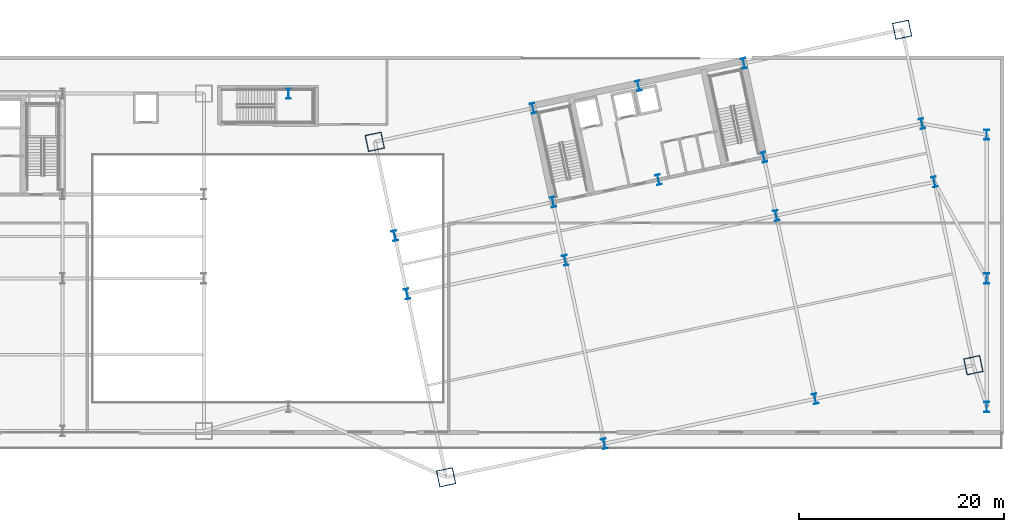
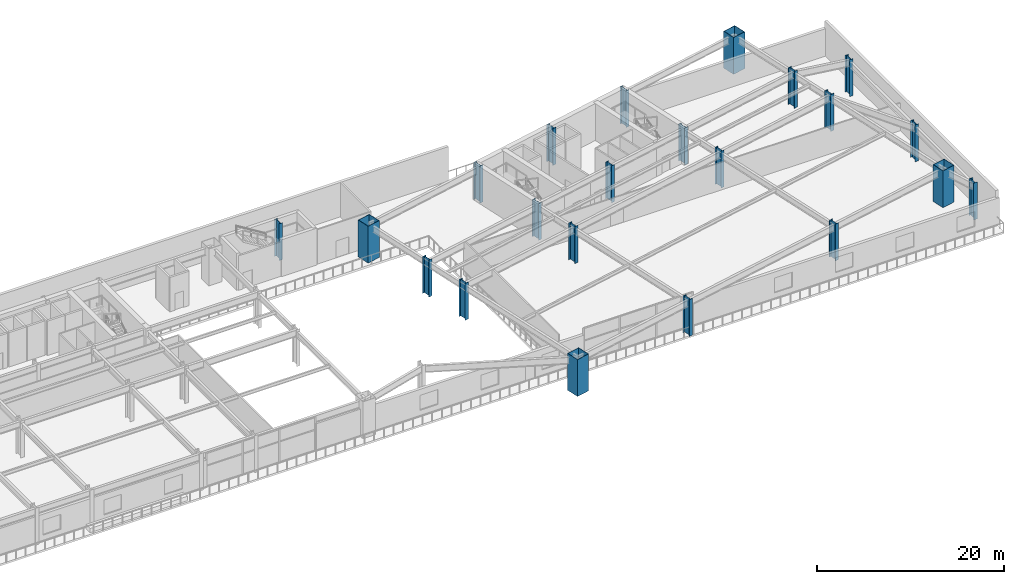
# One storey, part 2 of 28: 22 columns.
"""IFC4 building model written with IfcOpenShell, lengths in metres."""

import ifcopenshell
import ifcopenshell.guid

model = None  # the IFC model being written
_history = None  # IfcOwnerHistory: only IFC2X3 demands one
_inside = {}  # id of a spatial element -> (the spatial element, [elements in it])
_under = {}  # id of a project, library or spatial element -> (it, [spatial elements below it])
_declared = {}  # id of a project -> (the project, [libraries it declares])
_typed = {}  # id of a type object -> (the type object, [elements of that type])
_made_of = {}  # id of a material, layer set ... -> (it, [elements and type objects made of it])


def new_model(schema):
    """Start an empty IFC model of exactly this schema.

    Asked for "IFC4X3", IfcOpenShell would pick the latest addendum, in which some entities
    have other attributes; the version numbers below select the first issue.
    IFC2X3 requires an IfcOwnerHistory on every rooted entity: one is made here for all.
    """
    global model, _history
    if schema == "IFC4X3":
        model = ifcopenshell.file(schema_version=(4, 3, 0, 0))
    else:
        model = ifcopenshell.file(schema=schema)
    _inside.clear()
    _under.clear()
    _declared.clear()
    _typed.clear()
    _made_of.clear()
    _history = None
    if model.schema == "IFC2X3":
        org = make("IfcOrganization", Name="unknown")
        user = make(
            "IfcPersonAndOrganization",
            ThePerson=make("IfcPerson", FamilyName="unknown"),
            TheOrganization=org,
        )
        app = make(
            "IfcApplication",
            ApplicationDeveloper=org,
            Version="unknown",
            ApplicationFullName="unknown",
            ApplicationIdentifier="unknown",
        )
        _history = make(
            "IfcOwnerHistory",
            OwningUser=user,
            OwningApplication=app,
            ChangeAction="ADDED",
            CreationDate=0,
        )
    return model


def make(cls, **values):
    """One entity of the class cls with the attributes given. An attribute that is None is left unset."""
    return model.create_entity(
        cls, **{name: value for name, value in values.items() if value is not None}
    )


def rooted(cls, **values):
    """An entity with a GlobalId (a new one), such as an element, a storey or a relation."""
    return make(cls, GlobalId=ifcopenshell.guid.new(), OwnerHistory=_history, **values)


def si_unit(unit_type, name, prefix=None):
    """IfcSIUnit, for example si_unit("LENGTHUNIT", "METRE", prefix="MILLI")."""
    return make("IfcSIUnit", UnitType=unit_type, Prefix=prefix, Name=name)


def assignment(units):
    """IfcUnitAssignment: the units of a project."""
    return None if units is None else make("IfcUnitAssignment", Units=units)


def point(xyz):
    """IfcCartesianPoint."""
    return None if xyz is None else make("IfcCartesianPoint", Coordinates=xyz)


def direction(xyz):
    """IfcDirection."""
    return None if xyz is None else make("IfcDirection", DirectionRatios=xyz)


def frame(location, z_axis=None, x_axis=None):
    """IfcAxis2Placement3D, a coordinate frame: its origin and axes. An axis left out is left unset."""
    return make(
        "IfcAxis2Placement3D",
        Location=point(location),
        Axis=direction(z_axis),
        RefDirection=direction(x_axis),
    )


def frame_2d(location, x_axis=None):
    """IfcAxis2Placement2D, a coordinate frame in the plane: its origin and x axis."""
    return make(
        "IfcAxis2Placement2D", Location=point(location), RefDirection=direction(x_axis)
    )


def origin():
    """The frame at (0, 0, 0) with its axes left unset."""
    return frame((0.0, 0.0, 0.0))


def origin_2d():
    """The frame at (0, 0) in the plane with its x axis left unset."""
    return frame_2d((0.0, 0.0))


def place(relative_to, where):
    """IfcLocalPlacement: puts the frame where relative to a parent placement (None: the world)."""
    return make(
        "IfcLocalPlacement", PlacementRelTo=relative_to, RelativePlacement=where
    )


def context(
    kind, dimensions, precision=None, world=None, true_north=None, identifier=None
):
    """IfcGeometricRepresentationContext, for example the 3D "Model" context."""
    return make(
        "IfcGeometricRepresentationContext",
        ContextIdentifier=identifier,
        ContextType=kind,
        CoordinateSpaceDimension=dimensions,
        Precision=precision,
        WorldCoordinateSystem=world,
        TrueNorth=true_north,
    )


def subcontext(parent, identifier, kind, view, scale=None):
    """IfcGeometricRepresentationSubContext, for example "Body" below "Model"."""
    return make(
        "IfcGeometricRepresentationSubContext",
        ContextIdentifier=identifier,
        ContextType=kind,
        ParentContext=parent,
        TargetScale=scale,
        TargetView=view,
    )


def project(units=None, contexts=None):
    """IfcProject with its units and contexts."""
    return rooted(
        "IfcProject",
        Name="project",
        RepresentationContexts=contexts,
        UnitsInContext=assignment(units),
    )


def spatial(cls, under=None, at=None, **own):
    """A site, building, storey or space (cls), placed at a placement, below another one or the project."""
    s = rooted(cls, ObjectPlacement=at, **own)
    if under is not None:
        _under.setdefault(under.id(), (under, []))[1].append(s)
    return s


def profile(cls, at=None, kind="AREA", **sizes):
    """A parametric profile (cls). Its sizes go by their IFC names, for example OverallWidth=200.0."""
    return make(cls, ProfileType=kind, Position=at, **sizes)


def hollow_rectangle(**sizes):
    """IfcRectangleHollowProfileDef."""
    return profile("IfcRectangleHollowProfileDef", **sizes)


def i_section(**sizes):
    """IfcIShapeProfileDef."""
    return profile("IfcIShapeProfileDef", **sizes)


def extrude(swept, where, along, depth):
    """IfcExtrudedAreaSolid: the profile swept, set in the frame where, extruded along a direction by depth."""
    return make(
        "IfcExtrudedAreaSolid",
        SweptArea=swept,
        Position=where,
        ExtrudedDirection=direction(along),
        Depth=depth,
    )


def shape(context_of_items, identifier, shape_type, items):
    """IfcShapeRepresentation: the items that make up one representation, for example the "Body"."""
    return make(
        "IfcShapeRepresentation",
        ContextOfItems=context_of_items,
        RepresentationIdentifier=identifier,
        RepresentationType=shape_type,
        Items=items,
    )


def material(Name=None, Category=None):
    """IfcMaterial."""
    return make("IfcMaterial", Name=Name, Category=Category)


def material_profile(
    of_material, cross_section, Name=None, Category=None, Priority=None
):
    """IfcMaterialProfile: a cross section and its material."""
    return make(
        "IfcMaterialProfile",
        Name=Name,
        Material=of_material,
        Profile=cross_section,
        Priority=Priority,
        Category=Category,
    )


def profile_set(profiles, Name=None, composite=None):
    """IfcMaterialProfileSet."""
    return make(
        "IfcMaterialProfileSet",
        Name=Name,
        MaterialProfiles=profiles,
        CompositeProfile=composite,
    )


def made_of(thing, what):
    """Note that an element or type object is made of a material, layer set ...; save() writes the relation."""
    if what is not None:
        _made_of.setdefault(what.id(), (what, []))[1].append(thing)
    return thing


def type_object(cls, material=None, **own):
    """A type object (cls), such as IfcWallType, which elements share."""
    return made_of(rooted(cls, **own), material)


def element(
    cls,
    number,
    at=None,
    inside=None,
    cuts=None,
    type_object=None,
    material=None,
    context=None,
    identifier="Body",
    shape_type=None,
    held_by="IfcProductDefinitionShape",
    body=None,
    shapes=None,
    **own,
):
    """One element of the class cls, such as IfcWall. Its Tag is "e" and its number.

    at: its placement. inside: the storey or other place that contains it. cuts: it is an
    opening in that element (IfcRelVoidsElement). A single representation is given by context,
    identifier, shape_type and body (its items); several are given by shapes. held_by: the class
    of the entity that holds the representations. save() writes the other relations.
    """
    e = rooted(cls, Tag="e%d" % number, ObjectPlacement=at, **own)
    if body is not None:
        shapes = [shape(context, identifier, shape_type, body)]
    if shapes is not None:
        e.Representation = make(held_by, Representations=shapes)
    if inside is not None:
        _inside.setdefault(inside.id(), (inside, []))[1].append(e)
    if cuts is not None:
        rooted(
            "IfcRelVoidsElement", RelatingBuildingElement=cuts, RelatedOpeningElement=e
        )
    if type_object is not None:
        _typed.setdefault(type_object.id(), (type_object, []))[1].append(e)
    return made_of(e, material)


def aggregate(whole, parts):
    """IfcRelAggregates: a whole, such as a stair, and the parts it consists of."""
    return rooted("IfcRelAggregates", RelatingObject=whole, RelatedObjects=parts)


def save(model, path):
    """Write the relations noted so far, then the file.

    IfcRelAggregates (storeys below a building ...), IfcRelContainedInSpatialStructure (elements
    in a storey), IfcRelDefinesByType, IfcRelAssociatesMaterial and IfcRelDeclares: one each for
    every whole, place, type object, material and project.
    """
    for whole, parts in _under.values():
        aggregate(whole, parts)
    for where, things in _inside.values():
        rooted(
            "IfcRelContainedInSpatialStructure",
            RelatedElements=things,
            RelatingStructure=where,
        )
    for kind, things in _typed.values():
        rooted("IfcRelDefinesByType", RelatedObjects=things, RelatingType=kind)
    for what, things in _made_of.values():
        rooted("IfcRelAssociatesMaterial", RelatedObjects=things, RelatingMaterial=what)
    for by, libraries in _declared.values():
        rooted("IfcRelDeclares", RelatingContext=by, RelatedDefinitions=libraries)
    model.write(path)


model = new_model("IFC4")

# Units and contexts
model_context = context("Model", 3, precision=1e-05, world=origin(), true_north=direction((0.0, 1.0)))
body_context = subcontext(model_context, "Body", "Model", "MODEL_VIEW")
ifc_project = project(units=[si_unit("LENGTHUNIT", "METRE"), si_unit("AREAUNIT", "SQUARE_METRE"), si_unit("VOLUMEUNIT", "CUBIC_METRE"), si_unit("PLANEANGLEUNIT", "RADIAN"), si_unit("MASSUNIT", "GRAM", prefix="KILO")], contexts=[model_context])

# Site, building, storey
site_placement = place(None, origin())
site = spatial("IfcSite", under=ifc_project, at=site_placement, CompositionType="ELEMENT")
building_placement = place(site_placement, origin())
building = spatial("IfcBuilding", under=site, at=building_placement, Name="Haevon Station Towers", CompositionType="ELEMENT")
storey_placement = place(building_placement, frame((0.0, 0.0, 10.800048828125)))
storey = spatial("IfcBuildingStorey", under=building, at=storey_placement, Name="L02", CompositionType="ELEMENT", Elevation=10.800048828125)

# Columns
ifc_material = material(Name="Steel S460", Category="steel")
ifc_material_profile_1 = material_profile(ifc_material, hollow_rectangle(XDim=1.60009765625, YDim=1.60009765625, WallThickness=0.0400390625, at=origin_2d()), Name="BOX-1600x1600x40")
ifc_profile_set_1 = profile_set([ifc_material_profile_1], Name="Steel S460")
column_type_1 = type_object("IfcColumnType", Name="COL-MC1", PredefinedType="COLUMN", material=ifc_profile_set_1)
for number, where, z_axis, x_axis, name in (
    (1, (88.346923828125, 10.643310546875, 0.0), (0.0, 0.0, 1.0), (0.978147600734, 0.207911690818, 0.0), "COL-T2-L02-01-01"),
    (2, (81.402587890625, 43.3134765625, 0.0), (0.0, 0.0, 1.0), (0.978147600734, 0.207911690818, 0.0), "COL-T2-L02-01-04"),
    (3, (139.699462890625, 21.558837890625, 0.0), (0.0, 0.0, 1.0), (0.978147600734, 0.207911690818, 0.0), "COL-T2-L02-05-01"),
    (4, (132.75537109375, 54.228759765625, 0.0), (0.0, 0.0, 1.0), (0.978147600734, 0.207911690818, 0.0), "COL-T2-L02-05-04"),
):
    element("IfcColumn", number, at=place(storey_placement, frame(where, z_axis=z_axis, x_axis=x_axis)), inside=storey, type_object=column_type_1, Name=name, PredefinedType="COLUMN", context=body_context, shape_type="SweptSolid", body=[
        extrude(hollow_rectangle(XDim=1.60009765625, YDim=1.60009765625, WallThickness=0.0400390625, at=origin_2d()), origin(), (0.0, 0.0, 1.0), 4.800048828125),
    ])
ifc_material_profile_2 = material_profile(ifc_material, i_section(OverallWidth=0.449951171875, OverallDepth=1.0, WebThickness=0.02197265625, FlangeThickness=0.0400390625, at=origin_2d()), Name="H-1000x450x22x40")
ifc_profile_set_2 = profile_set([ifc_material_profile_2], Name="Steel S460")
column_type_2 = type_object("IfcColumnType", Name="COL-POD1", PredefinedType="COLUMN", material=ifc_profile_set_2)
for number, where, z_axis, x_axis, name in (
    (5, (84.552490234375, 28.49462890625, 0.0), (0.0, 0.0, 1.0), (0.978147600734, 0.207911690818, 0.0), "COL-T2-L02-01-02"),
    (6, (83.346435546875, 34.167724609375, 0.0), (0.0, 0.0, 1.0), (0.978147600734, 0.207911690818, 0.0), "COL-T2-L02-01-03"),
    (7, (103.752685546875, 13.91796875, 0.0), (0.0, 0.0, 1.0), (0.978147600734, 0.207911690818, 0.0), "COL-T2-L02-02-01"),
    (8, (99.958251953125, 31.76904296875, 0.0), (0.0, 0.0, 1.0), (0.978147600734, 0.207911690818, 0.0), "COL-T2-L02-02-02"),
    (9, (98.75244140625, 37.4423828125, 0.0), (0.0, 0.0, 1.0), (0.978147600734, 0.207911690818, 0.0), "COL-T2-L02-02-03"),
    (10, (96.808349609375, 46.588134765625, 0.0), (0.0, 0.0, 1.0), (0.978147600734, 0.207911690818, 0.0), "COL-T2-L02-02-04"),
    (11, (109.02294921875, 39.62548828125, 0.0), (0.0, 0.0, 1.0), (0.978147600734, 0.207911690818, 0.0), "COL-T2-L02-03-03"),
    (12, (107.078857421875, 48.771240234375, 0.0), (0.0, 0.0, 1.0), (0.978147600734, 0.207911690818, 0.0), "COL-T2-L02-03-04"),
    (13, (124.293701171875, 18.2841796875, 0.0), (0.0, 0.0, 1.0), (0.978147600734, 0.207911690818, 0.0), "COL-T2-L02-04-01"),
    (14, (120.499267578125, 36.13525390625, 0.0), (0.0, 0.0, 1.0), (0.978147600734, 0.207911690818, 0.0), "COL-T2-L02-04-02"),
    (15, (119.29345703125, 41.80859375, 0.0), (0.0, 0.0, 1.0), (0.978147600734, 0.207911690818, 0.0), "COL-T2-L02-04-03"),
    (16, (117.349365234375, 50.954345703125, 0.0), (0.0, 0.0, 1.0), (0.978147600734, 0.207911690818, 0.0), "COL-T2-L02-04-04"),
    (17, (135.9052734375, 39.409912109375, 0.0), (0.0, 0.0, 1.0), (0.978147600734, 0.207911690818, 0.0), "COL-T2-L02-05-02"),
    (18, (134.69921875, 45.083251953125, 0.0), (0.0, 0.0, 1.0), (0.978147600734, 0.207911690818, 0.0), "COL-T2-L02-05-03"),
    (19, (73.0, 48.0, 0.0), (0.0, 0.0, 1.0), (1.0, 0.0, 0.0), "COL-POD-L02-M2"),
    (20, (141.0, 17.5, 0.0), (0.0, 0.0, 1.0), (1.0, 0.0, 0.0), "COL-POD-L02-E1"),
    (21, (141.0, 30.0, 0.0), (0.0, 0.0, 1.0), (1.0, 0.0, 0.0), "COL-POD-L02-E2"),
    (22, (141.0, 44.0, 0.0), (0.0, 0.0, 1.0), (1.0, 0.0, 0.0), "COL-POD-L02-E3"),
):
    element("IfcColumn", number, at=place(storey_placement, frame(where, z_axis=z_axis, x_axis=x_axis)), inside=storey, type_object=column_type_2, Name=name, PredefinedType="COLUMN", context=body_context, shape_type="SweptSolid", body=[
        extrude(i_section(OverallWidth=0.449951171875, OverallDepth=1.0, WebThickness=0.02197265625, FlangeThickness=0.0400390625, at=origin_2d()), origin(), (0.0, 0.0, 1.0), 4.800048828125),
    ])

save(model, "model.ifc")
